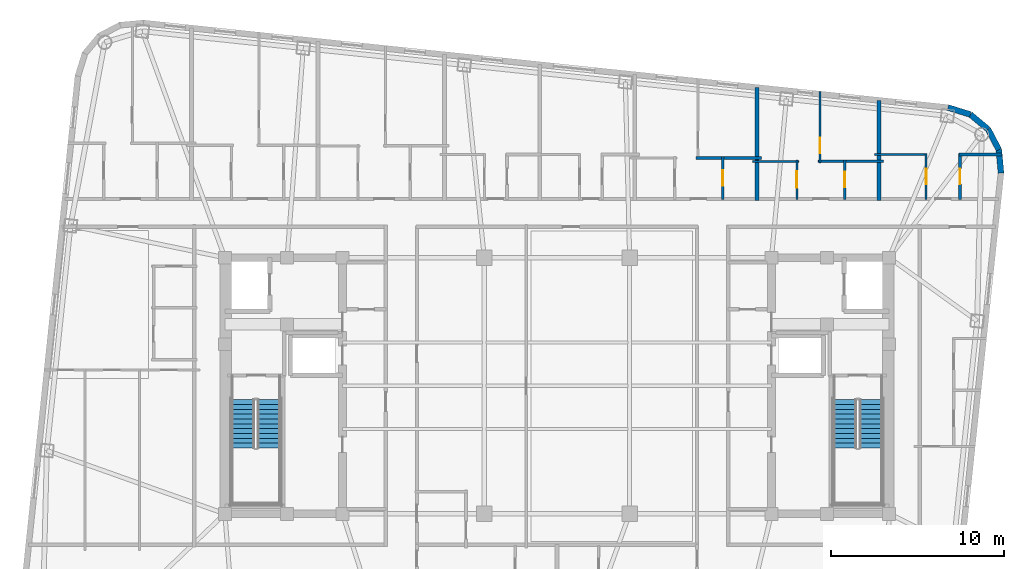
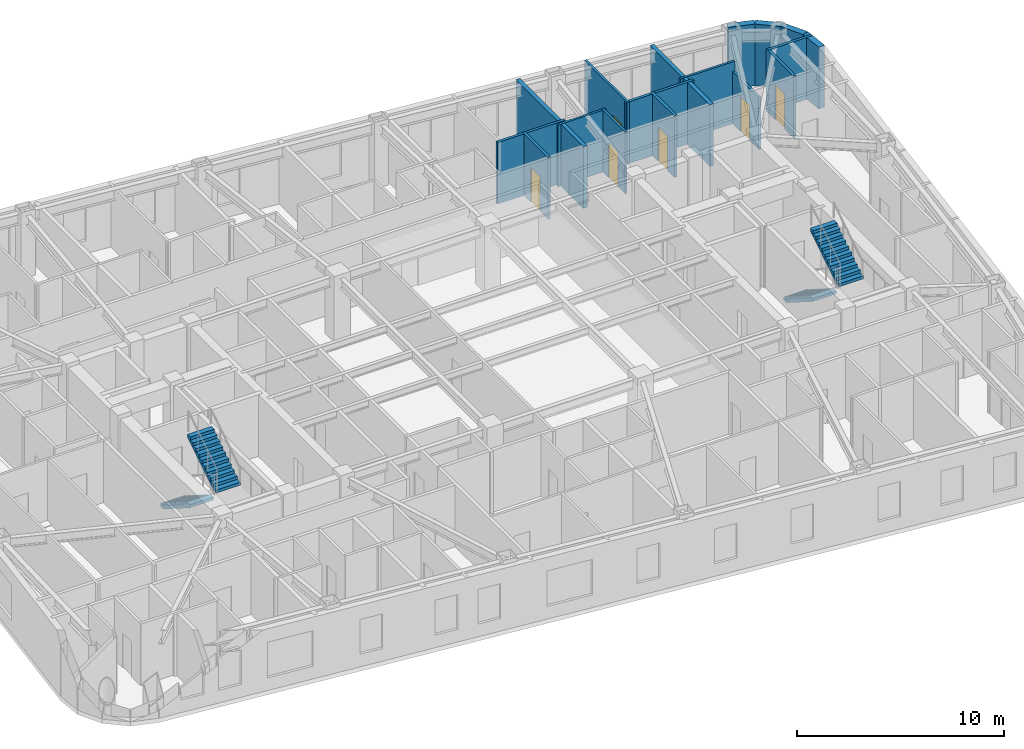
# One storey, part 9 of 11: 17 walls, 6 doors, 4 stair flights, 6 openings, 2 elements without a shape of their own.
"""IFC4 building model written with IfcOpenShell, lengths in metres."""

from ifc_helpers import new_model, si_unit, direction, frame, frame_2d, origin, place, context, subcontext, project, spatial, polyline, rectangle, outline, extrude, material, layer, layer_set, type_object, element, fill, aggregate, save


model = new_model("IFC4")

# Units and contexts
model_context = context("Model", 3, precision=1e-05, world=origin(), true_north=direction((0.0, 1.0)))
body_context = subcontext(model_context, "Body", "Model", "MODEL_VIEW")
ifc_project = project(units=[si_unit("LENGTHUNIT", "METRE"), si_unit("AREAUNIT", "SQUARE_METRE"), si_unit("VOLUMEUNIT", "CUBIC_METRE"), si_unit("PLANEANGLEUNIT", "RADIAN"), si_unit("MASSUNIT", "GRAM", prefix="KILO")], contexts=[model_context])

# Site, building, storey
site_placement = place(None, origin())
site = spatial("IfcSite", under=ifc_project, at=site_placement, CompositionType="ELEMENT")
building_placement = place(site_placement, origin())
building = spatial("IfcBuilding", under=site, at=building_placement, Name="Voryun Gate Residences", CompositionType="ELEMENT")
storey_placement = place(building_placement, frame((0.0, 0.0, 279.5)))
storey = spatial("IfcBuildingStorey", under=building, at=storey_placement, Name="L69", CompositionType="ELEMENT", Elevation=279.5)

# Walls
ifc_material_1 = material(Name="Charcoal terracotta masonry", Category="masonry")
ifc_layer_1 = layer(ifc_material_1, 0.340087890625, Name="W_EXT_TERRACOTTA_340")
ifc_layer_set_1 = layer_set([ifc_layer_1], Name="Charcoal terracotta masonry")
wall_type_1 = type_object("IfcWallType", Name="W_EXT_TERRACOTTA_340", PredefinedType="ELEMENTEDWALL", material=ifc_layer_set_1)
wall_1_placement = place(storey_placement, frame((22.6025390625, 16.083740234375, 0.0), z_axis=(0.0, 0.0, 1.0), x_axis=(0.955007802701, -0.296580674994, 0.0)))
element("IfcWall", 1, at=wall_1_placement, inside=storey, type_object=wall_type_1, Name="Exterior wall WEXT-L69-12", PredefinedType="ELEMENTEDWALL", context=body_context, shape_type="SweptSolid", body=[
    extrude(rectangle(XDim=1.354248046875, YDim=0.340087890625, at=frame_2d((0.67724609375, 0.0))), origin(), (0.0, 0.0, 1.0), 3.64990234375),
])
for number, where, z_axis, x_axis, name in (
    (2, (23.895751953125, 15.68212890625, 0.0), (0.0, 0.0, 1.0), (0.768789762863, -0.639501603217, 0.0), "Exterior wall WEXT-L69-13"),
    (3, (24.923583984375, 14.8271484375, 0.0), (0.0, 0.0, 1.0), (0.46567116636, -0.884957832228, 0.0), "Exterior wall WEXT-L69-14"),
):
    element("IfcWall", number, at=place(storey_placement, frame(where, z_axis=z_axis, x_axis=x_axis)), inside=storey, type_object=wall_type_1, Name=name, PredefinedType="ELEMENTEDWALL", context=body_context, shape_type="SweptSolid", body=[
        extrude(rectangle(XDim=1.3369140625, YDim=0.340087890625, at=frame_2d((0.66845703125, 0.0))), origin(), (0.0, 0.0, 1.0), 3.64990234375),
    ])
wall_2_placement = place(storey_placement, frame((25.546142578125, 13.64404296875, 0.0), z_axis=(0.0, 0.0, 1.0), x_axis=(0.091592370975, -0.995796584438, 0.0)))
element("IfcWall", 4, at=wall_2_placement, inside=storey, type_object=wall_type_1, Name="Exterior wall WEXT-L69-15", PredefinedType="ELEMENTEDWALL", context=body_context, shape_type="SweptSolid", body=[
    extrude(rectangle(XDim=1.35400390625, YDim=0.340087890625, at=frame_2d((0.677001953125, 0.0))), origin(), (0.0, 0.0, 1.0), 3.64990234375),
])
ifc_material_2 = material(Name="Concrete C40/50", Category="concrete")
ifc_layer_2 = layer(ifc_material_2, 0.219970703125, Name="W_PARTY_ACOUSTIC_220")
ifc_layer_set_2 = layer_set([ifc_layer_2], Name="Concrete C40/50")
wall_type_2 = type_object("IfcWallType", Name="W_PARTY_ACOUSTIC_220", PredefinedType="PARTITIONING", material=ifc_layer_set_2)
wall_3_placement = place(storey_placement, frame((11.55908203125, 10.719970703125, 0.0), z_axis=(0.0, 0.0, 1.0), x_axis=(0.0, 1.0, 0.0)))
element("IfcWall", 5, at=wall_3_placement, inside=storey, type_object=wall_type_2, Name="Partition wall WP-L69-NPTY-6", PredefinedType="PARTITIONING", context=body_context, shape_type="SweptSolid", body=[
    extrude(rectangle(XDim=6.5244140625, YDim=0.219970703125, at=frame_2d((3.26220703125, 0.0))), origin(), (0.0, 0.0, 1.0), 3.64990234375),
])
wall_4_placement = place(storey_placement, frame((18.617919921875, 10.719970703125, 0.0), z_axis=(0.0, 0.0, 1.0), x_axis=(0.0, 1.0, 0.0)))
element("IfcWall", 6, at=wall_4_placement, inside=storey, type_object=wall_type_2, Name="Partition wall WP-L69-NPTY-7", PredefinedType="PARTITIONING", context=body_context, shape_type="SweptSolid", body=[
    extrude(rectangle(XDim=5.782470703125, YDim=0.219970703125, at=frame_2d((2.89111328125, 0.0))), origin(), (0.0, 0.0, 1.0), 3.64990234375),
])

# Wall, opening, door
ifc_material_3 = material(Name="Gypsum acoustic partition")
ifc_layer_3 = layer(ifc_material_3, 0.125, Name="W_UNIT_PART_125")
ifc_layer_set_3 = layer_set([ifc_layer_3], Name="Gypsum acoustic partition")
wall_type_3 = type_object("IfcWallType", Name="W_UNIT_PART_125", PredefinedType="PARTITIONING", material=ifc_layer_set_3)
wall_5_placement = place(storey_placement, frame((15.2080078125, 12.889892578125, 0.0), z_axis=(0.0, 0.0, 1.0), x_axis=(0.0, 1.0, 0.0)))
wall_5 = element("IfcWall", 7, at=wall_5_placement, inside=storey, type_object=wall_type_3, Name="Partition wall WP-L69-N7-OVR", PredefinedType="PARTITIONING", context=body_context, shape_type="SweptSolid", body=[
    extrude(rectangle(XDim=4.121826171875, YDim=0.125, at=frame_2d((2.06103515625, 0.0))), origin(), (0.0, 0.0, 1.0), 3.64990234375),
])
opening_1_placement = place(wall_5_placement, frame((0.539306640625, 0.0, 0.0)))
opening_1 = element("IfcOpeningElement", 8, at=opening_1_placement, cuts=wall_5, Name="Opening D-INT-2", PredefinedType="OPENING", context=body_context, shape_type="SweptSolid", body=[
    extrude(rectangle(XDim=0.89990234375, YDim=2.050048828125, at=frame_2d((0.449951171875, 1.02490234375))), frame((0.0, 0.072509765625, 0.0), z_axis=(0.0, -1.0, 0.0), x_axis=(1.0, 0.0, 0.0)), (0.0, 0.0, 1.0), 0.14501953125),
])
ifc_material_4 = material(Name="Architectural oak veneer")
door_type_1 = type_object("IfcDoorType", Name="DR_INT_BATH_900", OperationType="NOTDEFINED", PredefinedType="DOOR", material=ifc_material_4)
door_1_placement = place(opening_1_placement, origin())
door_1 = element("IfcDoor", 9, at=door_1_placement, inside=storey, type_object=door_type_1, Name="Door DR-L69-N7-DMB", OperationType="SINGLE_SWING_RIGHT", OverallHeight=2.050048828125, OverallWidth=0.89990234375, PredefinedType="DOOR", context=body_context, shape_type="SweptSolid", body=[
    extrude(rectangle(XDim=0.89990234375, YDim=2.050048828125, at=frame_2d((0.449951171875, 1.02490234375))), frame((0.0, 0.02490234375, 0.0), z_axis=(0.0, -1.0, 0.0), x_axis=(1.0, 0.0, 0.0)), (0.0, 0.0, 1.0), 0.050048828125),
])
fill(opening_1, door_1)

wall_6_placement = place(storey_placement, frame((13.868896484375, 10.780029296875, 0.0), z_axis=(0.0, 0.0, 1.0), x_axis=(0.0, 1.0, 0.0)))
wall_6 = element("IfcWall", 10, at=wall_6_placement, inside=storey, type_object=wall_type_3, Name="Partition wall WP-L69-N7-IVK", PredefinedType="PARTITIONING", context=body_context, shape_type="SweptSolid", body=[
    extrude(rectangle(XDim=2.27001953125, YDim=0.125, at=frame_2d((1.135009765625, 0.0))), origin(), (0.0, 0.0, 1.0), 3.64990234375),
])
opening_2_placement = place(wall_6_placement, frame((0.659912109375, 0.0, 0.0)))
opening_2 = element("IfcOpeningElement", 11, at=opening_2_placement, cuts=wall_6, Name="Opening D-INT-1", PredefinedType="OPENING", context=body_context, shape_type="SweptSolid", body=[
    extrude(rectangle(XDim=0.949951171875, YDim=2.050048828125, at=frame_2d((0.47509765625, 1.02490234375))), frame((0.0, 0.072509765625, 0.0), z_axis=(0.0, -1.0, 0.0), x_axis=(1.0, 0.0, 0.0)), (0.0, 0.0, 1.0), 0.14501953125),
])
ifc_material_5 = material(Name="Architectural oak veneer")
door_type_2 = type_object("IfcDoorType", Name="DR_INT_ROOM_950", OperationType="NOTDEFINED", PredefinedType="DOOR", material=ifc_material_5)
door_2_placement = place(opening_2_placement, origin())
door_2 = element("IfcDoor", 12, at=door_2_placement, inside=storey, type_object=door_type_2, Name="Door DR-L69-N7-DK", OperationType="SINGLE_SWING_LEFT", OverallHeight=2.050048828125, OverallWidth=0.949951171875, PredefinedType="DOOR", context=body_context, shape_type="SweptSolid", body=[
    extrude(rectangle(XDim=0.949951171875, YDim=2.050048828125, at=frame_2d((0.47509765625, 1.02490234375))), frame((0.0, 0.02490234375, 0.0), z_axis=(0.0, -1.0, 0.0), x_axis=(1.0, 0.0, 0.0)), (0.0, 0.0, 1.0), 0.050048828125),
])
fill(opening_2, door_2)

# Wall
wall_7_placement = place(storey_placement, frame((11.299072265625, 12.969970703125, 0.0), z_axis=(0.0, 0.0, 1.0), x_axis=(1.0, 0.0, 0.0)))
element("IfcWall", 13, at=wall_7_placement, inside=storey, type_object=wall_type_3, Name="Partition wall WP-L69-N7-HZK", PredefinedType="PARTITIONING", context=body_context, shape_type="SweptSolid", body=[
    extrude(rectangle(XDim=2.68994140625, YDim=0.125, at=frame_2d((1.344970703125, 0.0))), origin(), (0.0, 0.0, 1.0), 3.64990234375),
])

# Wall, opening, door
wall_8_placement = place(storey_placement, frame((21.337890625, 10.780029296875, 0.0), z_axis=(0.0, 0.0, 1.0), x_axis=(0.0, 1.0, 0.0)))
wall_8 = element("IfcWall", 14, at=wall_8_placement, inside=storey, type_object=wall_type_3, Name="Partition wall WP-L69-N8-CVK", PredefinedType="PARTITIONING", context=body_context, shape_type="SweptSolid", body=[
    extrude(rectangle(XDim=2.64990234375, YDim=0.125, at=frame_2d((1.324951171875, 0.0))), origin(), (0.0, 0.0, 1.0), 3.090087890625),
])
opening_3_placement = place(wall_8_placement, frame((0.875, 0.0, 0.0)))
opening_3 = element("IfcOpeningElement", 15, at=opening_3_placement, cuts=wall_8, Name="Opening D-INT-2", PredefinedType="OPENING", context=body_context, shape_type="SweptSolid", body=[
    extrude(rectangle(XDim=0.89990234375, YDim=2.050048828125, at=frame_2d((0.449951171875, 1.02490234375))), frame((0.0, 0.072509765625, 0.0), z_axis=(0.0, -1.0, 0.0), x_axis=(1.0, 0.0, 0.0)), (0.0, 0.0, 1.0), 0.14501953125),
])
door_3_placement = place(opening_3_placement, origin())
door_3 = element("IfcDoor", 16, at=door_3_placement, inside=storey, type_object=door_type_1, Name="Door DR-L69-N8-DK", OperationType="SINGLE_SWING_LEFT", OverallHeight=2.050048828125, OverallWidth=0.89990234375, PredefinedType="DOOR", context=body_context, shape_type="SweptSolid", body=[
    extrude(rectangle(XDim=0.89990234375, YDim=2.050048828125, at=frame_2d((0.449951171875, 1.02490234375))), frame((0.0, 0.02490234375, 0.0), z_axis=(0.0, -1.0, 0.0), x_axis=(1.0, 0.0, 0.0)), (0.0, 0.0, 1.0), 0.050048828125),
])
fill(opening_3, door_3)

# Walls
wall_9_placement = place(storey_placement, frame((18.35791015625, 13.3701171875, 0.0), z_axis=(0.0, 0.0, 1.0), x_axis=(1.0, 0.0, 0.0)))
element("IfcWall", 17, at=wall_9_placement, inside=storey, type_object=wall_type_3, Name="Partition wall WP-L69-N8-CHK", PredefinedType="PARTITIONING", context=body_context, shape_type="SweptSolid", body=[
    extrude(rectangle(XDim=3.0400390625, YDim=0.125, at=frame_2d((1.52001953125, 0.0))), origin(), (0.0, 0.0, 1.0), 3.64990234375),
])
ifc_material_6 = material(Name="Gypsum moisture-resistant partition")
ifc_layer_4 = layer(ifc_material_6, 0.14990234375, Name="W_WET_PLUMB_150")
ifc_layer_set_4 = layer_set([ifc_layer_4], Name="Gypsum moisture-resistant partition")
wall_type_4 = type_object("IfcWallType", Name="W_WET_PLUMB_150", PredefinedType="PLUMBINGWALL", material=ifc_layer_set_4)
wall_10_placement = place(storey_placement, frame((8.029052734375, 13.1669921875, 0.0), z_axis=(0.0, 0.0, 1.0), x_axis=(1.0, 0.0, 0.0)))
element("IfcWall", 18, at=wall_10_placement, inside=storey, type_object=wall_type_4, Name="Partition wall WP-L69-N6-HZB", PredefinedType="PLUMBINGWALL", context=body_context, shape_type="SweptSolid", body=[
    extrude(rectangle(XDim=3.7900390625, YDim=0.14990234375, at=frame_2d((1.89501953125, 0.0))), origin(), (0.0, 0.0, 1.0), 3.64990234375),
])

# Wall, opening, door
wall_11_placement = place(storey_placement, frame((9.5791015625, 10.780029296875, 0.0), z_axis=(0.0, 0.0, 1.0), x_axis=(0.0, 1.0, 0.0)))
wall_11 = element("IfcWall", 19, at=wall_11_placement, inside=storey, type_object=wall_type_4, Name="Partition wall WP-L69-N6-IVB", PredefinedType="PLUMBINGWALL", context=body_context, shape_type="SweptSolid", body=[
    extrude(rectangle(XDim=2.467041015625, YDim=0.14990234375, at=frame_2d((1.2333984375, 0.0))), origin(), (0.0, 0.0, 1.0), 3.64990234375),
])
opening_4_placement = place(wall_11_placement, frame((0.783447265625, 0.0, 0.0)))
opening_4 = element("IfcOpeningElement", 20, at=opening_4_placement, cuts=wall_11, Name="Opening D-INT-2", PredefinedType="OPENING", context=body_context, shape_type="SweptSolid", body=[
    extrude(rectangle(XDim=0.89990234375, YDim=2.050048828125, at=frame_2d((0.449951171875, 1.02490234375))), frame((0.0, 0.0849609375, 0.0), z_axis=(0.0, -1.0, 0.0), x_axis=(1.0, 0.0, 0.0)), (0.0, 0.0, 1.0), 0.169921875),
])
door_4_placement = place(opening_4_placement, origin())
door_4 = element("IfcDoor", 21, at=door_4_placement, inside=storey, type_object=door_type_1, Name="Door DR-L69-N6-DB", OperationType="SINGLE_SWING_RIGHT", OverallHeight=2.050048828125, OverallWidth=0.89990234375, PredefinedType="DOOR", context=body_context, shape_type="SweptSolid", body=[
    extrude(rectangle(XDim=0.89990234375, YDim=2.050048828125, at=frame_2d((0.449951171875, 1.02490234375))), frame((0.0, 0.02490234375, 0.0), z_axis=(0.0, -1.0, 0.0), x_axis=(1.0, 0.0, 0.0)), (0.0, 0.0, 1.0), 0.050048828125),
])
fill(opening_4, door_4)

# Wall
wall_12_placement = place(storey_placement, frame((15.087890625, 12.969970703125, 0.0), z_axis=(0.0, 0.0, 1.0), x_axis=(1.0, 0.0, 0.0)))
element("IfcWall", 22, at=wall_12_placement, inside=storey, type_object=wall_type_4, Name="Partition wall WP-L69-N7-HZB", PredefinedType="PLUMBINGWALL", context=body_context, shape_type="SweptSolid", body=[
    extrude(rectangle(XDim=3.7900390625, YDim=0.14990234375, at=frame_2d((1.89501953125, 0.0))), origin(), (0.0, 0.0, 1.0), 3.64990234375),
])

# Wall, opening, door
wall_13_placement = place(storey_placement, frame((16.637939453125, 10.780029296875, 0.0), z_axis=(0.0, 0.0, 1.0), x_axis=(0.0, 1.0, 0.0)))
wall_13 = element("IfcWall", 23, at=wall_13_placement, inside=storey, type_object=wall_type_4, Name="Partition wall WP-L69-N7-IVB", PredefinedType="PLUMBINGWALL", context=body_context, shape_type="SweptSolid", body=[
    extrude(rectangle(XDim=2.27001953125, YDim=0.14990234375, at=frame_2d((1.135009765625, 0.0))), origin(), (0.0, 0.0, 1.0), 3.64990234375),
])
opening_5_placement = place(wall_13_placement, frame((0.68505859375, 0.0, 0.0)))
opening_5 = element("IfcOpeningElement", 24, at=opening_5_placement, cuts=wall_13, Name="Opening D-INT-2", PredefinedType="OPENING", context=body_context, shape_type="SweptSolid", body=[
    extrude(rectangle(XDim=0.89990234375, YDim=2.050048828125, at=frame_2d((0.449951171875, 1.02490234375))), frame((0.0, 0.0849609375, 0.0), z_axis=(0.0, -1.0, 0.0), x_axis=(1.0, 0.0, 0.0)), (0.0, 0.0, 1.0), 0.169921875),
])
door_5_placement = place(opening_5_placement, origin())
door_5 = element("IfcDoor", 25, at=door_5_placement, inside=storey, type_object=door_type_1, Name="Door DR-L69-N7-DB", OperationType="SINGLE_SWING_RIGHT", OverallHeight=2.050048828125, OverallWidth=0.89990234375, PredefinedType="DOOR", context=body_context, shape_type="SweptSolid", body=[
    extrude(rectangle(XDim=0.89990234375, YDim=2.050048828125, at=frame_2d((0.449951171875, 1.02490234375))), frame((0.0, 0.02490234375, 0.0), z_axis=(0.0, -1.0, 0.0), x_axis=(1.0, 0.0, 0.0)), (0.0, 0.0, 1.0), 0.050048828125),
])
fill(opening_5, door_5)

wall_14_placement = place(storey_placement, frame((23.297119140625, 10.780029296875, 0.0), z_axis=(0.0, 0.0, 1.0), x_axis=(0.0, 1.0, 0.0)))
wall_14 = element("IfcWall", 26, at=wall_14_placement, inside=storey, type_object=wall_type_4, Name="Partition wall WP-L69-N8-CVB", PredefinedType="PLUMBINGWALL", context=body_context, shape_type="SweptSolid", body=[
    extrude(rectangle(XDim=2.64990234375, YDim=0.14990234375, at=frame_2d((1.324951171875, 0.0))), origin(), (0.0, 0.0, 1.0), 3.64990234375),
])
opening_6_placement = place(wall_14_placement, frame((0.875, 0.0, 0.0)))
opening_6 = element("IfcOpeningElement", 27, at=opening_6_placement, cuts=wall_14, Name="Opening D-INT-2", PredefinedType="OPENING", context=body_context, shape_type="SweptSolid", body=[
    extrude(rectangle(XDim=0.89990234375, YDim=2.050048828125, at=frame_2d((0.449951171875, 1.02490234375))), frame((0.0, 0.0849609375, 0.0), z_axis=(0.0, -1.0, 0.0), x_axis=(1.0, 0.0, 0.0)), (0.0, 0.0, 1.0), 0.169921875),
])
door_6_placement = place(opening_6_placement, origin())
door_6 = element("IfcDoor", 28, at=door_6_placement, inside=storey, type_object=door_type_1, Name="Door DR-L69-N8-DB", OperationType="SINGLE_SWING_RIGHT", OverallHeight=2.050048828125, OverallWidth=0.89990234375, PredefinedType="DOOR", context=body_context, shape_type="SweptSolid", body=[
    extrude(rectangle(XDim=0.89990234375, YDim=2.050048828125, at=frame_2d((0.449951171875, 1.02490234375))), frame((0.0, 0.02490234375, 0.0), z_axis=(0.0, -1.0, 0.0), x_axis=(1.0, 0.0, 0.0)), (0.0, 0.0, 1.0), 0.050048828125),
])
fill(opening_6, door_6)

# Wall
wall_15_placement = place(storey_placement, frame((23.237060546875, 13.3701171875, 0.0), z_axis=(0.0, 0.0, 1.0), x_axis=(1.0, 0.0, 0.0)))
element("IfcWall", 29, at=wall_15_placement, inside=storey, type_object=wall_type_4, Name="Partition wall WP-L69-N8-CHB", PredefinedType="PLUMBINGWALL", context=body_context, shape_type="SweptSolid", body=[
    extrude(rectangle(XDim=2.48486328125, YDim=0.14990234375, at=frame_2d((1.242431640625, 0.0))), origin(), (0.0, 0.0, 1.0), 3.64990234375),
])

# Stair, stair flights
ifc_material_7 = material(Name="Concrete C40/50", Category="concrete")
stair_type = type_object("IfcStairType", Name="STR_CORE_DOGLEG_1350", PredefinedType="HALF_TURN_STAIR", material=ifc_material_7)
stair_1_placement = place(storey_placement, origin())
stair_1 = element("IfcStair", 30, at=stair_1_placement, inside=storey, type_object=stair_type, Name="L69 Special Escape Stair ST-W1", PredefinedType="HALF_TURN_STAIR")
ifc_material_8 = material(Name="Concrete C40/50", Category="concrete")
stair_flight_type = type_object("IfcStairFlightType", Name="FLT_CORE_1350", PredefinedType="STRAIGHT", material=ifc_material_8)
stair_flight_1_placement = place(storey_placement, frame((-18.14990234375, -0.800048828125, 0.0), z_axis=(0.0, 0.0, 1.0), x_axis=(0.0, -1.0, 0.0)))
stair_flight_1 = element("IfcStairFlight", 31, at=stair_flight_1_placement, type_object=stair_flight_type, Name="ST-W1 flight 1", NumberOfRisers=11, NumberOfTreads=10, PredefinedType="STRAIGHT", RiserHeight=0.177272727, TreadLength=0.28, context=body_context, shape_type="SweptSolid", body=[
    extrude(outline(polyline([(0.0, 0.0), (0.0, 0.17724609375), (0.280029296875, 0.17724609375), (0.280029296875, 0.3544921875), (0.56005859375, 0.3544921875), (0.56005859375, 0.53173828125), (0.840087890625, 0.53173828125), (0.840087890625, 0.708984375), (1.1201171875, 0.708984375), (1.1201171875, 0.886474609375), (1.39990234375, 0.886474609375), (1.39990234375, 1.063720703125), (1.679931640625, 1.063720703125), (1.679931640625, 1.240966796875), (1.9599609375, 1.240966796875), (1.9599609375, 1.418212890625), (2.239990234375, 1.418212890625), (2.239990234375, 1.595458984375), (2.52001953125, 1.595458984375), (2.52001953125, 1.772705078125), (2.800048828125, 1.772705078125), (2.800048828125, 1.949951171875), (2.800048828125, 1.59521484375), (0.2802734375, 0.0), (0.0, 0.0)])), frame((0.0, 0.675048828125, 0.0), z_axis=(0.0, -1.0, 0.0), x_axis=(1.0, 0.0, 0.0)), (0.0, 0.0, 1.0), 1.35009765625),
])
stair_flight_2_placement = place(storey_placement, frame((-16.64990234375, -3.60009765625, 1.949951171875), z_axis=(0.0, 0.0, 1.0), x_axis=(0.0, 1.0, 0.0)))
stair_flight_2 = element("IfcStairFlight", 32, at=stair_flight_2_placement, type_object=stair_flight_type, Name="ST-W1 flight 2", NumberOfRisers=11, NumberOfTreads=10, PredefinedType="STRAIGHT", RiserHeight=0.177272727, TreadLength=0.28, context=body_context, shape_type="SweptSolid", body=[
    extrude(outline(polyline([(0.0, 0.0), (0.0, 0.17724609375), (0.280029296875, 0.17724609375), (0.280029296875, 0.3544921875), (0.56005859375, 0.3544921875), (0.56005859375, 0.53173828125), (0.840087890625, 0.53173828125), (0.840087890625, 0.708984375), (1.1201171875, 0.708984375), (1.1201171875, 0.886474609375), (1.39990234375, 0.886474609375), (1.39990234375, 1.063720703125), (1.679931640625, 1.063720703125), (1.679931640625, 1.240966796875), (1.9599609375, 1.240966796875), (1.9599609375, 1.418212890625), (2.239990234375, 1.418212890625), (2.239990234375, 1.595458984375), (2.52001953125, 1.595458984375), (2.52001953125, 1.772705078125), (2.800048828125, 1.772705078125), (2.800048828125, 1.949951171875), (2.800048828125, 1.59521484375), (0.2802734375, 0.0), (0.0, 0.0)])), frame((0.0, 0.675048828125, 0.0), z_axis=(0.0, -1.0, 0.0), x_axis=(1.0, 0.0, 0.0)), (0.0, 0.0, 1.0), 1.35009765625),
])
aggregate(stair_1, [stair_flight_1, stair_flight_2])

stair_2_placement = place(storey_placement, origin())
stair_2 = element("IfcStair", 33, at=stair_2_placement, inside=storey, type_object=stair_type, Name="L69 Special Escape Stair ST-E1", PredefinedType="HALF_TURN_STAIR")
stair_flight_3_placement = place(storey_placement, frame((16.64990234375, -0.800048828125, 0.0), z_axis=(0.0, 0.0, 1.0), x_axis=(0.0, -1.0, 0.0)))
stair_flight_3 = element("IfcStairFlight", 34, at=stair_flight_3_placement, type_object=stair_flight_type, Name="ST-E1 flight 1", NumberOfRisers=11, NumberOfTreads=10, PredefinedType="STRAIGHT", RiserHeight=0.177272727, TreadLength=0.28, context=body_context, shape_type="SweptSolid", body=[
    extrude(outline(polyline([(0.0, 0.0), (0.0, 0.17724609375), (0.280029296875, 0.17724609375), (0.280029296875, 0.3544921875), (0.56005859375, 0.3544921875), (0.56005859375, 0.53173828125), (0.840087890625, 0.53173828125), (0.840087890625, 0.708984375), (1.1201171875, 0.708984375), (1.1201171875, 0.886474609375), (1.39990234375, 0.886474609375), (1.39990234375, 1.063720703125), (1.679931640625, 1.063720703125), (1.679931640625, 1.240966796875), (1.9599609375, 1.240966796875), (1.9599609375, 1.418212890625), (2.239990234375, 1.418212890625), (2.239990234375, 1.595458984375), (2.52001953125, 1.595458984375), (2.52001953125, 1.772705078125), (2.800048828125, 1.772705078125), (2.800048828125, 1.949951171875), (2.800048828125, 1.59521484375), (0.2802734375, 0.0), (0.0, 0.0)])), frame((0.0, 0.675048828125, 0.0), z_axis=(0.0, -1.0, 0.0), x_axis=(1.0, 0.0, 0.0)), (0.0, 0.0, 1.0), 1.35009765625),
])
stair_flight_4_placement = place(storey_placement, frame((18.14990234375, -3.60009765625, 1.949951171875), z_axis=(0.0, 0.0, 1.0), x_axis=(0.0, 1.0, 0.0)))
stair_flight_4 = element("IfcStairFlight", 35, at=stair_flight_4_placement, type_object=stair_flight_type, Name="ST-E1 flight 2", NumberOfRisers=11, NumberOfTreads=10, PredefinedType="STRAIGHT", RiserHeight=0.177272727, TreadLength=0.28, context=body_context, shape_type="SweptSolid", body=[
    extrude(outline(polyline([(0.0, 0.0), (0.0, 0.17724609375), (0.280029296875, 0.17724609375), (0.280029296875, 0.3544921875), (0.56005859375, 0.3544921875), (0.56005859375, 0.53173828125), (0.840087890625, 0.53173828125), (0.840087890625, 0.708984375), (1.1201171875, 0.708984375), (1.1201171875, 0.886474609375), (1.39990234375, 0.886474609375), (1.39990234375, 1.063720703125), (1.679931640625, 1.063720703125), (1.679931640625, 1.240966796875), (1.9599609375, 1.240966796875), (1.9599609375, 1.418212890625), (2.239990234375, 1.418212890625), (2.239990234375, 1.595458984375), (2.52001953125, 1.595458984375), (2.52001953125, 1.772705078125), (2.800048828125, 1.772705078125), (2.800048828125, 1.949951171875), (2.800048828125, 1.59521484375), (0.2802734375, 0.0), (0.0, 0.0)])), frame((0.0, 0.675048828125, 0.0), z_axis=(0.0, -1.0, 0.0), x_axis=(1.0, 0.0, 0.0)), (0.0, 0.0, 1.0), 1.35009765625),
])
aggregate(stair_2, [stair_flight_3, stair_flight_4])

save(model, "model.ifc")
